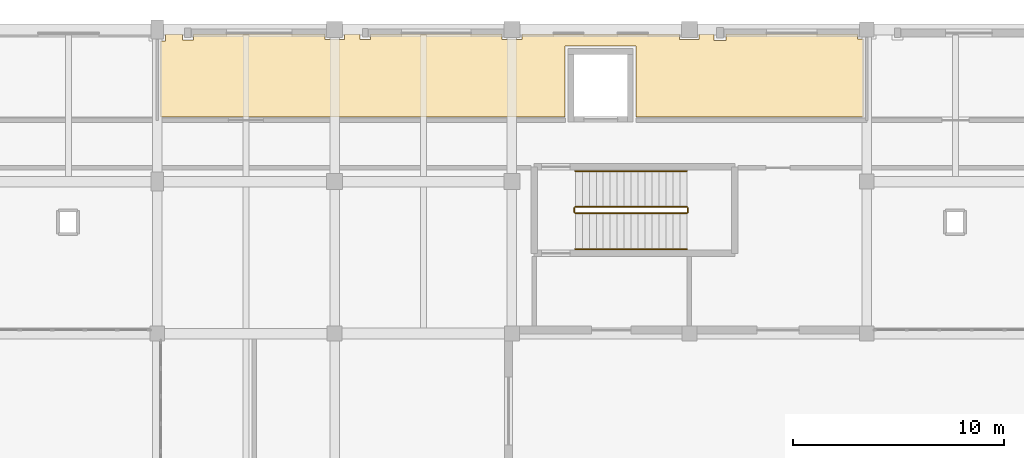
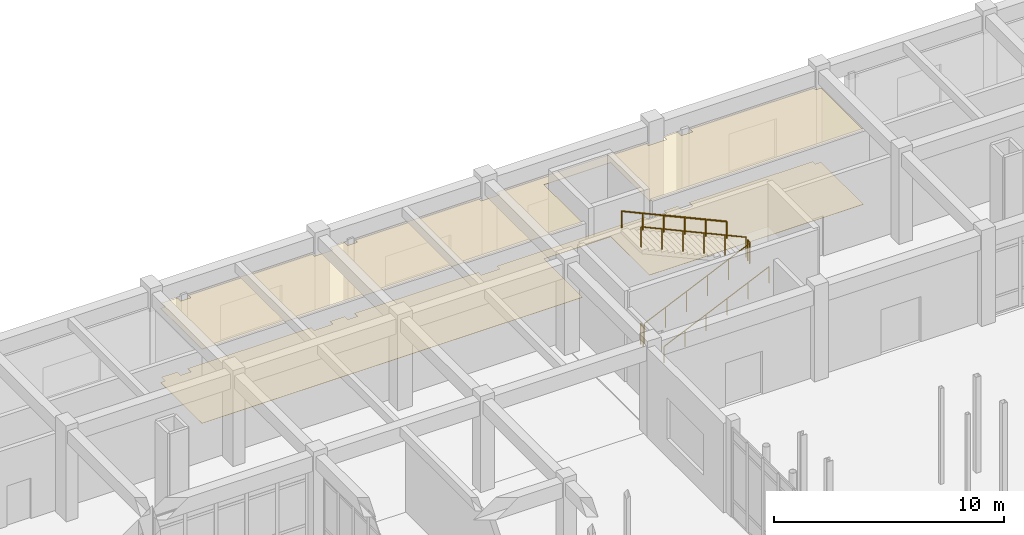
# One storey, part 115 of 121: 6 railings, 2 coverings.
"""IFC4 building model written with IfcOpenShell, lengths in metres."""

from ifc_helpers import new_model, si_unit, direction, frame, origin, origin_2d, place, context, subcontext, project, spatial, polyline, circle, outline, extrude, material, layer, layer_set, type_object, element, save


model = new_model("IFC4")

# Units and contexts
model_context = context("Model", 3, precision=1e-05, world=origin(), true_north=direction((0.0, 1.0)))
body_context = subcontext(model_context, "Body", "Model", "MODEL_VIEW")
ifc_project = project(units=[si_unit("LENGTHUNIT", "METRE"), si_unit("AREAUNIT", "SQUARE_METRE"), si_unit("VOLUMEUNIT", "CUBIC_METRE"), si_unit("PLANEANGLEUNIT", "RADIAN"), si_unit("MASSUNIT", "GRAM", prefix="KILO")], contexts=[model_context])

# Site, building, storey
site_placement = place(None, origin())
site = spatial("IfcSite", under=ifc_project, at=site_placement, CompositionType="ELEMENT")
building_placement = place(site_placement, origin())
building = spatial("IfcBuilding", under=site, at=building_placement, Name="Malvenik Polytechnic", CompositionType="ELEMENT")
storey_placement = place(building_placement, origin())
storey = spatial("IfcBuildingStorey", under=building, at=storey_placement, Name="L00", CompositionType="ELEMENT", Elevation=0.0)

# Coverings
ifc_material_1 = material(Name="Perforated mineral-fibre acoustic suspended ceiling 600x600", Category="gypsum")
ifc_layer_1 = layer(ifc_material_1, 0.02490234375)
ifc_layer_set_1 = layer_set([ifc_layer_1], Name="Perforated mineral-fibre acoustic suspended ceiling 600x600")
covering_type_1 = type_object("IfcCoveringType", Name="ARC-COV-CEIL-AC", PredefinedType="CEILING", material=ifc_layer_set_1)
covering_1_placement = place(storey_placement, frame((0.0, 0.0, 3.93505859375)))
element("IfcCovering", 1, at=covering_1_placement, inside=storey, type_object=covering_type_1, Name="Acoustic Ceiling L00 Geotechnical Soil Mechanics Laboratory", PredefinedType="CEILING", context=body_context, shape_type="SweptSolid", body=[
    extrude(outline(polyline([(76.7900390625, 129.094970703125), (77.31005859375, 129.094970703125), (77.31005859375, 129.3798828125), (83.534912109375, 129.3798828125), (83.534912109375, 129.135009765625), (84.465087890625, 129.135009765625), (84.465087890625, 129.3798828125), (85.199951171875, 129.3798828125), (85.199951171875, 129.1201171875), (85.699951171875, 129.1201171875), (85.699951171875, 129.3798828125), (91.93505859375, 129.3798828125), (91.93505859375, 129.135009765625), (92.864990234375, 129.135009765625), (92.864990234375, 129.3798828125), (100.3349609375, 129.3798828125), (100.3349609375, 129.135009765625), (101.264892578125, 129.135009765625), (101.264892578125, 129.3798828125), (101.965087890625, 129.3798828125), (101.965087890625, 129.070068359375), (102.534912109375, 129.070068359375), (102.534912109375, 129.3798828125), (108.760009765625, 129.3798828125), (108.760009765625, 129.159912109375), (109.0400390625, 129.159912109375), (109.0400390625, 125.4599609375), (98.280029296875, 125.4599609375), (98.280029296875, 128.830078125), (94.919921875, 128.830078125), (94.919921875, 125.4599609375), (75.760009765625, 125.4599609375), (75.760009765625, 129.06005859375), (75.989990234375, 129.06005859375), (75.989990234375, 129.3798828125), (76.7900390625, 129.3798828125), (76.7900390625, 129.094970703125)])), origin(), (0.0, 0.0, 1.0), 0.02490234375),
])
ifc_material_2 = material(Name="Chemical-resistant seamless laboratory epoxy resin flooring 15mm", Category="plastic")
ifc_layer_2 = layer(ifc_material_2, 0.014892578125)
ifc_layer_set_2 = layer_set([ifc_layer_2], Name="Chemical-resistant seamless laboratory epoxy resin flooring 15mm")
covering_type_2 = type_object("IfcCoveringType", Name="ARC-COV-FLR-EPX", PredefinedType="FLOORING", material=ifc_layer_set_2)
covering_2_placement = place(storey_placement, origin())
element("IfcCovering", 2, at=covering_2_placement, inside=storey, type_object=covering_type_2, Name="Floor Finish FLR-02 L00 Geotechnical Soil Mechanics Laboratory", PredefinedType="FLOORING", context=body_context, shape_type="SweptSolid", body=[
    extrude(outline(polyline([(76.7900390625, 129.094970703125), (77.31005859375, 129.094970703125), (77.31005859375, 129.3798828125), (83.534912109375, 129.3798828125), (83.534912109375, 129.135009765625), (84.465087890625, 129.135009765625), (84.465087890625, 129.3798828125), (85.199951171875, 129.3798828125), (85.199951171875, 129.1201171875), (85.699951171875, 129.1201171875), (85.699951171875, 129.3798828125), (91.93505859375, 129.3798828125), (91.93505859375, 129.135009765625), (92.864990234375, 129.135009765625), (92.864990234375, 129.3798828125), (100.3349609375, 129.3798828125), (100.3349609375, 129.135009765625), (101.264892578125, 129.135009765625), (101.264892578125, 129.3798828125), (101.965087890625, 129.3798828125), (101.965087890625, 129.070068359375), (102.534912109375, 129.070068359375), (102.534912109375, 129.3798828125), (108.760009765625, 129.3798828125), (108.760009765625, 129.159912109375), (109.0400390625, 129.159912109375), (109.0400390625, 125.4599609375), (98.280029296875, 125.4599609375), (98.280029296875, 128.830078125), (94.919921875, 128.830078125), (94.919921875, 125.4599609375), (75.760009765625, 125.4599609375), (75.760009765625, 129.06005859375), (75.989990234375, 129.06005859375), (75.989990234375, 129.3798828125), (76.7900390625, 129.3798828125), (76.7900390625, 129.094970703125)])), origin(), (0.0, 0.0, 1.0), 0.014892578125),
])

# Railings
ifc_material_3 = material(Name="Painted galvanised steel stair well balustrade 1100mm", Category="steel")
ifc_layer_3 = layer(ifc_material_3, 0.050048828125)
ifc_layer_set_3 = layer_set([ifc_layer_3], Name="Painted galvanised steel stair well balustrade 1100mm")
railing_type_1 = type_object("IfcRailingType", Name="ARC-RL-STGD", PredefinedType="BALUSTRADE", material=ifc_layer_set_3)
railing_1_placement = place(storey_placement, frame((95.39990234375, 120.89990234375, 0.14990234375)))
element("IfcRailing", 3, at=railing_1_placement, inside=storey, type_object=railing_type_1, Name="L00 ST-03 stair guard 1", PredefinedType="BALUSTRADE", context=body_context, shape_type="SweptSolid", body=[
    extrude(circle(Radius=0.02392578125, at=origin_2d()), frame((0.0, 0.0, 1.076171875), z_axis=(0.910357827898, 0.0, 0.413821972815), x_axis=(0.0, 1.0, 0.0)), (0.0, 0.0, 1.0), 5.800048828125),
    extrude(circle(Radius=0.02099609375, at=origin_2d()), origin(), (0.0, 0.0, 1.0), 1.052001953125),
    extrude(circle(Radius=0.02099609375, at=origin_2d()), frame((1.055908203125, 0.0, 0.47998046875)), (0.0, 0.0, 1.0), 1.052001953125),
    extrude(circle(Radius=0.02099609375, at=origin_2d()), frame((2.112060546875, 0.0, 0.9599609375)), (0.0, 0.0, 1.0), 1.052001953125),
    extrude(circle(Radius=0.02099609375, at=origin_2d()), frame((3.16796875, 0.0, 1.440185546875)), (0.0, 0.0, 1.0), 1.052001953125),
    extrude(circle(Radius=0.02099609375, at=origin_2d()), frame((4.22412109375, 0.0, 1.920166015625)), (0.0, 0.0, 1.0), 1.052001953125),
    extrude(circle(Radius=0.02099609375, at=origin_2d()), frame((5.280029296875, 0.0, 2.400146484375)), (0.0, 0.0, 1.0), 1.052001953125),
])
railing_2_placement = place(storey_placement, frame((100.72998046875, 120.949951171875, 2.550048828125)))
element("IfcRailing", 4, at=railing_2_placement, inside=storey, type_object=railing_type_1, Name="L00 ST-03 stair guard 2", PredefinedType="BALUSTRADE", context=body_context, shape_type="SweptSolid", body=[
    extrude(circle(Radius=0.02392578125, at=origin_2d()), frame((0.0, 0.0, 1.076171875), z_axis=(0.0, 1.0, 0.0), x_axis=(-1.0, 0.0, 0.0)), (0.0, 0.0, 1.0), 0.199951171875),
    extrude(circle(Radius=0.02099609375, at=origin_2d()), origin(), (0.0, 0.0, 1.0), 1.052001953125),
    extrude(circle(Radius=0.02099609375, at=origin_2d()), frame((0.0, 0.199951171875, 0.0)), (0.0, 0.0, 1.0), 1.052001953125),
])
railing_3_placement = place(storey_placement, frame((100.679931640625, 121.199951171875, 2.699951171875)))
element("IfcRailing", 5, at=railing_3_placement, inside=storey, type_object=railing_type_1, Name="L00 ST-03 stair guard 3", PredefinedType="BALUSTRADE", context=body_context, shape_type="SweptSolid", body=[
    extrude(circle(Radius=0.02392578125, at=origin_2d()), frame((0.0, 0.0, 1.076171875), z_axis=(-0.910357827898, 0.0, 0.413821972815), x_axis=(0.0, -1.0, 0.0)), (0.0, 0.0, 1.0), 5.800048828125),
    extrude(circle(Radius=0.02099609375, at=origin_2d()), origin(), (0.0, 0.0, 1.0), 1.052001953125),
    extrude(circle(Radius=0.02099609375, at=origin_2d()), frame((-1.055908203125, 0.0, 0.47998046875)), (0.0, 0.0, 1.0), 1.052001953125),
    extrude(circle(Radius=0.02099609375, at=origin_2d()), frame((-2.112060546875, 0.0, 0.9599609375)), (0.0, 0.0, 1.0), 1.052001953125),
    extrude(circle(Radius=0.02099609375, at=origin_2d()), frame((-3.16796875, 0.0, 1.440185546875)), (0.0, 0.0, 1.0), 1.052001953125),
    extrude(circle(Radius=0.02099609375, at=origin_2d()), frame((-4.22412109375, 0.0, 1.920166015625)), (0.0, 0.0, 1.0), 1.052001953125),
    extrude(circle(Radius=0.02099609375, at=origin_2d()), frame((-5.280029296875, 0.0, 2.400146484375)), (0.0, 0.0, 1.0), 1.052001953125),
])
railing_4_placement = place(storey_placement, frame((95.35009765625, 120.949951171875, 0.0)))
element("IfcRailing", 6, at=railing_4_placement, inside=storey, type_object=railing_type_1, Name="L00 ST-03 stair guard 4", PredefinedType="BALUSTRADE", context=body_context, shape_type="SweptSolid", body=[
    extrude(circle(Radius=0.02392578125, at=origin_2d()), frame((0.0, 0.0, 1.076171875), z_axis=(0.0, 1.0, 0.0), x_axis=(-1.0, 0.0, 0.0)), (0.0, 0.0, 1.0), 0.199951171875),
    extrude(circle(Radius=0.02099609375, at=origin_2d()), origin(), (0.0, 0.0, 1.0), 1.052001953125),
    extrude(circle(Radius=0.02099609375, at=origin_2d()), frame((0.0, 0.199951171875, 0.0)), (0.0, 0.0, 1.0), 1.052001953125),
])
ifc_material_4 = material(Name="Brushed stainless steel 1.4301 stair wall handrail", Category="steel")
ifc_layer_4 = layer(ifc_material_4, 0.044921875)
ifc_layer_set_4 = layer_set([ifc_layer_4], Name="Brushed stainless steel 1.4301 stair wall handrail")
railing_type_2 = type_object("IfcRailingType", Name="ARC-RL-STHR", PredefinedType="HANDRAIL", material=ifc_layer_set_4)
railing_5_placement = place(storey_placement, frame((95.39990234375, 119.199951171875, 0.14990234375)))
element("IfcRailing", 7, at=railing_5_placement, inside=storey, type_object=railing_type_2, Name="L00 ST-03 stair handrail 1", PredefinedType="HANDRAIL", context=body_context, shape_type="SweptSolid", body=[
    extrude(circle(Radius=0.02392578125, at=origin_2d()), frame((0.0, 0.0, 0.8759765625), z_axis=(0.910357827898, 0.0, 0.413821972815), x_axis=(0.0, 1.0, 0.0)), (0.0, 0.0, 1.0), 5.800048828125),
    extrude(circle(Radius=0.02099609375, at=origin_2d()), origin(), (0.0, 0.0, 1.0), 0.851806640625),
    extrude(circle(Radius=0.02099609375, at=origin_2d()), frame((1.055908203125, 0.0, 0.47998046875)), (0.0, 0.0, 1.0), 0.851806640625),
    extrude(circle(Radius=0.02099609375, at=origin_2d()), frame((2.112060546875, 0.0, 0.9599609375)), (0.0, 0.0, 1.0), 0.851806640625),
    extrude(circle(Radius=0.02099609375, at=origin_2d()), frame((3.16796875, 0.0, 1.440185546875)), (0.0, 0.0, 1.0), 0.851806640625),
    extrude(circle(Radius=0.02099609375, at=origin_2d()), frame((4.22412109375, 0.0, 1.920166015625)), (0.0, 0.0, 1.0), 0.851806640625),
    extrude(circle(Radius=0.02099609375, at=origin_2d()), frame((5.280029296875, 0.0, 2.400146484375)), (0.0, 0.0, 1.0), 0.851806640625),
])
railing_6_placement = place(storey_placement, frame((100.679931640625, 122.89990234375, 2.699951171875)))
element("IfcRailing", 8, at=railing_6_placement, inside=storey, type_object=railing_type_2, Name="L00 ST-03 stair handrail 2", PredefinedType="HANDRAIL", context=body_context, shape_type="SweptSolid", body=[
    extrude(circle(Radius=0.02392578125, at=origin_2d()), frame((0.0, 0.0, 0.8759765625), z_axis=(-0.910357827898, 0.0, 0.413821972815), x_axis=(0.0, -1.0, 0.0)), (0.0, 0.0, 1.0), 5.800048828125),
    extrude(circle(Radius=0.02099609375, at=origin_2d()), origin(), (0.0, 0.0, 1.0), 0.851806640625),
    extrude(circle(Radius=0.02099609375, at=origin_2d()), frame((-1.055908203125, 0.0, 0.47998046875)), (0.0, 0.0, 1.0), 0.851806640625),
    extrude(circle(Radius=0.02099609375, at=origin_2d()), frame((-2.112060546875, 0.0, 0.9599609375)), (0.0, 0.0, 1.0), 0.851806640625),
    extrude(circle(Radius=0.02099609375, at=origin_2d()), frame((-3.16796875, 0.0, 1.440185546875)), (0.0, 0.0, 1.0), 0.851806640625),
    extrude(circle(Radius=0.02099609375, at=origin_2d()), frame((-4.22412109375, 0.0, 1.920166015625)), (0.0, 0.0, 1.0), 0.851806640625),
    extrude(circle(Radius=0.02099609375, at=origin_2d()), frame((-5.280029296875, 0.0, 2.400146484375)), (0.0, 0.0, 1.0), 0.851806640625),
])

save(model, "model.ifc")
